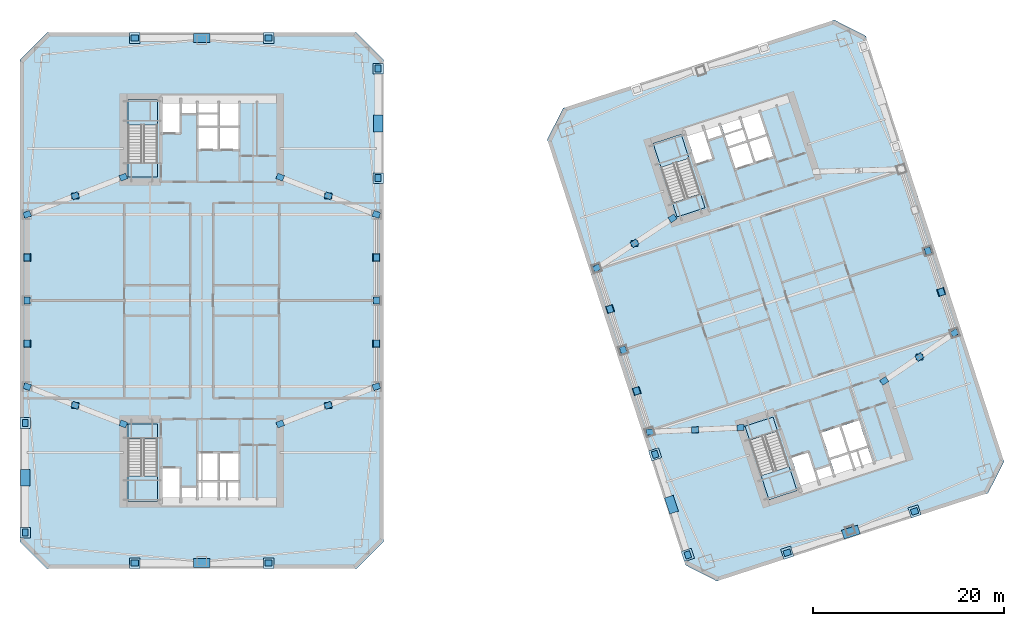
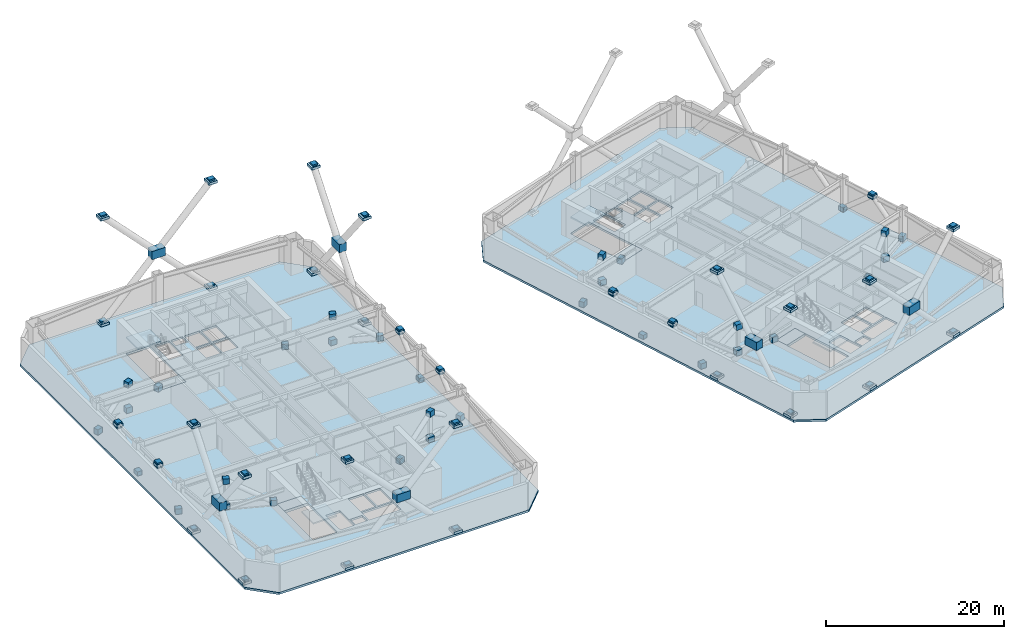
# One storey, part 10 of 19: 100 plates, 10 slabs, 4 elements without a shape of their own.
"""IFC4 building model written with IfcOpenShell, lengths in metres."""

from ifc_helpers import new_model, si_unit, direction, frame, origin, origin_2d, place, context, subcontext, project, spatial, polyline, rectangle, outline, extrude, material, layer, layer_set, type_object, element, aggregate, save


model = new_model("IFC4")

# Units and contexts
model_context = context("Model", 3, precision=1e-05, world=origin(), true_north=direction((0.0, 1.0)))
body_context = subcontext(model_context, "Body", "Model", "MODEL_VIEW")
ifc_project = project(units=[si_unit("LENGTHUNIT", "METRE"), si_unit("AREAUNIT", "SQUARE_METRE"), si_unit("VOLUMEUNIT", "CUBIC_METRE"), si_unit("PLANEANGLEUNIT", "RADIAN"), si_unit("MASSUNIT", "GRAM", prefix="KILO")], contexts=[model_context])

# Site, building, storey
site_placement = place(None, origin())
site = spatial("IfcSite", under=ifc_project, at=site_placement, CompositionType="ELEMENT")
building_placement = place(site_placement, origin())
building = spatial("IfcBuilding", under=site, at=building_placement, Name="Qiaolan Cultural Towers", CompositionType="ELEMENT")
storey_placement = place(building_placement, frame((0.0, 0.0, 92.0)))
storey = spatial("IfcBuildingStorey", under=building, at=storey_placement, Name="L23", CompositionType="ELEMENT", Elevation=92.0)

# Plates
ifc_material_1 = material(Name="Steel Q355B", Category="steel")
ifc_layer_1 = layer(ifc_material_1, 0.035888671875)
ifc_layer_set_1 = layer_set([ifc_layer_1], Name="Steel Q355B")
plate_type_1 = type_object("IfcPlateType", Name="PL-CONN-36", PredefinedType="USERDEFINED", material=ifc_layer_set_1)
for number, where, z_axis, x_axis, name in (
    (1, (11.550048828125, 9.75, -0.22021484375), (0.0, 0.0, 1.0), (0.0, 1.0, 0.0), "L23 Brace End Connection Gusset Plate GP-02-0244"),
    (2, (11.550048828125, 21.199951171875, 14.27978515625), (0.0, 0.0, 1.0), (0.0, 1.0, 0.0), "L23 Brace End Connection Gusset Plate GP-02-0245"),
    (3, (11.550048828125, 21.199951171875, -0.22021484375), (0.0, 0.0, 1.0), (0.0, 1.0, 0.0), "L23 Brace End Connection Gusset Plate GP-02-0246"),
    (4, (11.550048828125, 9.75, 14.27978515625), (0.0, 0.0, 1.0), (0.0, 1.0, 0.0), "L23 Brace End Connection Gusset Plate GP-02-0247"),
    (5, (48.449951171875, 46.800048828125, -0.22021484375), (0.0, 0.0, 1.0), (0.0, 1.0, 0.0), "L23 Brace End Connection Gusset Plate GP-02-0248"),
    (6, (48.449951171875, 58.25, 14.27978515625), (0.0, 0.0, 1.0), (0.0, 1.0, 0.0), "L23 Brace End Connection Gusset Plate GP-02-0249"),
    (7, (48.449951171875, 58.25, -0.22021484375), (0.0, 0.0, 1.0), (0.0, 1.0, 0.0), "L23 Brace End Connection Gusset Plate GP-02-0250"),
    (8, (48.449951171875, 46.800048828125, 14.27978515625), (0.0, 0.0, 1.0), (0.0, 1.0, 0.0), "L23 Brace End Connection Gusset Plate GP-02-0251"),
    (9, (23.0, 6.550048828125, -0.22021484375), (0.0, 0.0, 1.0), (1.0, 0.0, 0.0), "L23 Brace End Connection Gusset Plate GP-02-0252"),
    (10, (37.0, 6.550048828125, 14.27978515625), (0.0, 0.0, 1.0), (1.0, 0.0, 0.0), "L23 Brace End Connection Gusset Plate GP-02-0253"),
    (11, (37.0, 6.550048828125, -0.22021484375), (0.0, 0.0, 1.0), (1.0, 0.0, 0.0), "L23 Brace End Connection Gusset Plate GP-02-0254"),
    (12, (23.0, 6.550048828125, 14.27978515625), (0.0, 0.0, 1.0), (1.0, 0.0, 0.0), "L23 Brace End Connection Gusset Plate GP-02-0255"),
    (13, (23.0, 61.449951171875, -0.22021484375), (0.0, 0.0, 1.0), (1.0, 0.0, 0.0), "L23 Brace End Connection Gusset Plate GP-02-0256"),
    (14, (37.0, 61.449951171875, 14.27978515625), (0.0, 0.0, 1.0), (1.0, 0.0, 0.0), "L23 Brace End Connection Gusset Plate GP-02-0257"),
    (15, (37.0, 61.449951171875, -0.22021484375), (0.0, 0.0, 1.0), (1.0, 0.0, 0.0), "L23 Brace End Connection Gusset Plate GP-02-0258"),
    (16, (23.0, 61.449951171875, 14.27978515625), (0.0, 0.0, 1.0), (1.0, 0.0, 0.0), "L23 Brace End Connection Gusset Plate GP-02-0259"),
    (17, (80.817138671875, 7.410888671875, -0.22021484375), (0.0, 0.0, 1.0), (-0.309016994375, 0.951056516295, 0.0), "L23 Brace End Connection Gusset Plate GP-02-0468"),
    (18, (77.40234375, 17.920166015625, 14.27978515625), (0.0, 0.0, 1.0), (-0.309016994375, 0.951056516295, 0.0), "L23 Brace End Connection Gusset Plate GP-02-0469"),
    (19, (77.40234375, 17.920166015625, -0.22021484375), (0.0, 0.0, 1.0), (-0.309016994375, 0.951056516295, 0.0), "L23 Brace End Connection Gusset Plate GP-02-0470"),
    (20, (80.817138671875, 7.410888671875, 14.27978515625), (0.0, 0.0, 1.0), (-0.309016994375, 0.951056516295, 0.0), "L23 Brace End Connection Gusset Plate GP-02-0471"),
    (21, (91.20703125, 7.632568359375, -0.22021484375), (0.0, 0.0, 1.0), (0.951056510902, 0.309017010974, 0.0), "L23 Brace End Connection Gusset Plate GP-02-0476"),
    (22, (104.52197265625, 11.958740234375, 14.27978515625), (0.0, 0.0, 1.0), (0.951056510902, 0.309017010974, 0.0), "L23 Brace End Connection Gusset Plate GP-02-0477"),
    (23, (104.52197265625, 11.958740234375, -0.22021484375), (0.0, 0.0, 1.0), (0.951056510902, 0.309017010974, 0.0), "L23 Brace End Connection Gusset Plate GP-02-0478"),
    (24, (91.20703125, 7.632568359375, 14.27978515625), (0.0, 0.0, 1.0), (0.951056510902, 0.309017010974, 0.0), "L23 Brace End Connection Gusset Plate GP-02-0479"),
    (25, (21.800048828125, 21.10009765625, 0.1298828125), (0.0, 0.0, 1.0), (-0.932265558866, 0.361774691973, 0.0), "L23 Brace End Connection Gusset Plate GP-02-0648"),
    (26, (16.77490234375, 23.050048828125, 3.64990234375), (0.0, 0.0, 1.0), (-0.932265558866, 0.361774691973, 0.0), "L23 Brace End Connection Gusset Plate GP-02-0649"),
    (27, (11.75, 25.0, 0.1298828125), (0.0, 0.0, 1.0), (-0.932265558866, 0.361774691973, 0.0), "L23 Brace End Connection Gusset Plate GP-02-0650"),
    (28, (16.77490234375, 23.050048828125, 0.1298828125), (0.0, 0.0, 1.0), (1.0, 0.0, 0.0), "L23 Brace End Connection Gusset Plate GP-02-0651"),
    (29, (21.800048828125, 46.89990234375, 0.1298828125), (0.0, 0.0, 1.0), (0.932265558866, 0.361774691973, 0.0), "L23 Brace End Connection Gusset Plate GP-02-0652"),
    (30, (16.77490234375, 44.949951171875, 3.64990234375), (0.0, 0.0, 1.0), (0.932265558866, 0.361774691973, 0.0), "L23 Brace End Connection Gusset Plate GP-02-0653"),
    (31, (11.75, 43.0, 0.1298828125), (0.0, 0.0, 1.0), (0.932265558866, 0.361774691973, 0.0), "L23 Brace End Connection Gusset Plate GP-02-0654"),
    (32, (16.77490234375, 44.949951171875, 0.1298828125), (0.0, 0.0, 1.0), (1.0, 0.0, 0.0), "L23 Brace End Connection Gusset Plate GP-02-0655"),
    (33, (38.199951171875, 21.10009765625, 0.1298828125), (0.0, 0.0, 1.0), (0.932265558866, 0.361774691973, 0.0), "L23 Brace End Connection Gusset Plate GP-02-0656"),
    (34, (43.22509765625, 23.050048828125, 3.64990234375), (0.0, 0.0, 1.0), (0.932265558866, 0.361774691973, 0.0), "L23 Brace End Connection Gusset Plate GP-02-0657"),
    (35, (48.25, 25.0, 0.1298828125), (0.0, 0.0, 1.0), (0.932265558866, 0.361774691973, 0.0), "L23 Brace End Connection Gusset Plate GP-02-0658"),
    (36, (43.22509765625, 23.050048828125, 0.1298828125), (0.0, 0.0, 1.0), (1.0, 0.0, 0.0), "L23 Brace End Connection Gusset Plate GP-02-0659"),
    (37, (38.199951171875, 46.89990234375, 0.1298828125), (0.0, 0.0, 1.0), (-0.932265558866, 0.361774691973, 0.0), "L23 Brace End Connection Gusset Plate GP-02-0660"),
    (38, (43.22509765625, 44.949951171875, 3.64990234375), (0.0, 0.0, 1.0), (-0.932265558866, 0.361774691973, 0.0), "L23 Brace End Connection Gusset Plate GP-02-0661"),
    (39, (48.25, 43.0, 0.1298828125), (0.0, 0.0, 1.0), (-0.932265558866, 0.361774691973, 0.0), "L23 Brace End Connection Gusset Plate GP-02-0662"),
    (40, (43.22509765625, 44.949951171875, 0.1298828125), (0.0, 0.0, 1.0), (1.0, 0.0, 0.0), "L23 Brace End Connection Gusset Plate GP-02-0663"),
    (41, (11.75, 29.5, 3.75), (0.0, 0.0, 1.0), (0.0, 1.0, 0.0), "L23 Brace End Connection Gusset Plate GP-02-0664"),
    (42, (11.75, 34.0, -0.169921875), (0.0, 0.0, 1.0), (0.0, 1.0, 0.0), "L23 Brace End Connection Gusset Plate GP-02-0665"),
    (43, (11.75, 38.5, 3.75), (0.0, 0.0, 1.0), (0.0, 1.0, 0.0), "L23 Brace End Connection Gusset Plate GP-02-0666"),
    (44, (48.25, 29.5, 3.75), (0.0, 0.0, 1.0), (0.0, 1.0, 0.0), "L23 Brace End Connection Gusset Plate GP-02-0667"),
    (45, (48.25, 34.0, -0.169921875), (0.0, 0.0, 1.0), (0.0, 1.0, 0.0), "L23 Brace End Connection Gusset Plate GP-02-0668"),
    (46, (48.25, 38.5, 3.75), (0.0, 0.0, 1.0), (0.0, 1.0, 0.0), "L23 Brace End Connection Gusset Plate GP-02-0669"),
    (47, (86.32568359375, 20.71435546875, 0.1298828125), (0.0, 0.0, 1.0), (0.998874703111, 0.047427075448, 0.0), "L23 Brace End Connection Gusset Plate GP-02-0670"),
    (48, (81.58837890625, 20.489501953125, 3.64990234375), (0.0, 0.0, 1.0), (0.998874703111, 0.047427075448, 0.0), "L23 Brace End Connection Gusset Plate GP-02-0671"),
    (49, (76.85107421875, 20.264404296875, 0.1298828125), (0.0, 0.0, 1.0), (0.998874703111, 0.047427075448, 0.0), "L23 Brace End Connection Gusset Plate GP-02-0672"),
    (50, (81.58837890625, 20.489501953125, 0.1298828125), (0.0, 0.0, 1.0), (1.0, 0.0, 0.0), "L23 Brace End Connection Gusset Plate GP-02-0673"),
    (51, (79.21826171875, 42.588623046875, 0.1298828125), (0.0, 0.0, 1.0), (0.835983555153, 0.548754494755, 0.0), "L23 Brace End Connection Gusset Plate GP-02-0674"),
    (52, (75.25341796875, 39.986083984375, 3.64990234375), (0.0, 0.0, 1.0), (0.835983555153, 0.548754494755, 0.0), "L23 Brace End Connection Gusset Plate GP-02-0675"),
    (53, (71.28857421875, 37.383544921875, 0.1298828125), (0.0, 0.0, 1.0), (0.835983555153, 0.548754494755, 0.0), "L23 Brace End Connection Gusset Plate GP-02-0676"),
    (54, (75.25341796875, 39.986083984375, 0.1298828125), (0.0, 0.0, 1.0), (1.0, 0.0, 0.0), "L23 Brace End Connection Gusset Plate GP-02-0677"),
    (55, (101.352294921875, 25.5966796875, 0.1298828125), (0.0, 0.0, 1.0), (0.826110116447, 0.563508718215, 0.0), "L23 Brace End Connection Gusset Plate GP-02-0678"),
    (56, (105.03173828125, 28.106689453125, 3.64990234375), (0.0, 0.0, 1.0), (0.826110116447, 0.563508718215, 0.0), "L23 Brace End Connection Gusset Plate GP-02-0679"),
    (57, (108.71142578125, 30.616455078125, 0.1298828125), (0.0, 0.0, 1.0), (0.826110116447, 0.563508718215, 0.0), "L23 Brace End Connection Gusset Plate GP-02-0680"),
    (58, (105.03173828125, 28.106689453125, 0.1298828125), (0.0, 0.0, 1.0), (1.0, 0.0, 0.0), "L23 Brace End Connection Gusset Plate GP-02-0681"),
    (59, (75.46044921875, 24.544189453125, 3.75), (0.0, 0.0, 1.0), (-0.309017027573, 0.951056505508, 0.0), "L23 Brace End Connection Gusset Plate GP-02-0686"),
    (60, (74.06982421875, 28.823974609375, -0.169921875), (0.0, 0.0, 1.0), (-0.309017027573, 0.951056505508, 0.0), "L23 Brace End Connection Gusset Plate GP-02-0687"),
    (61, (72.67919921875, 33.103759765625, 3.75), (0.0, 0.0, 1.0), (-0.309016994375, 0.951056516295, 0.0), "L23 Brace End Connection Gusset Plate GP-02-0688"),
    (62, (107.32080078125, 34.896240234375, 3.75), (0.0, 0.0, 1.0), (-0.309016994375, 0.951056516295, 0.0), "L23 Brace End Connection Gusset Plate GP-02-0689"),
    (63, (105.93017578125, 39.176025390625, -0.169921875), (0.0, 0.0, 1.0), (-0.309016994375, 0.951056516295, 0.0), "L23 Brace End Connection Gusset Plate GP-02-0690"),
):
    element("IfcPlate", number, at=place(storey_placement, frame(where, z_axis=z_axis, x_axis=x_axis)), inside=storey, type_object=plate_type_1, Name=name, ObjectType="GUSSET_PLATE", PredefinedType="USERDEFINED", context=body_context, shape_type="SweptSolid", body=[
        extrude(rectangle(XDim=0.739990234375, YDim=0.6201171875, at=origin_2d()), origin(), (0.0, 0.0, 1.0), 0.739990234375),
    ])
ifc_material_2 = material(Name="Steel Q355B", Category="steel")
ifc_layer_2 = layer(ifc_material_2, 0.030029296875)
ifc_layer_set_2 = layer_set([ifc_layer_2], Name="Steel Q355B")
plate_type_2 = type_object("IfcPlateType", Name="PL-ENDCAP-30", PredefinedType="USERDEFINED", material=ifc_layer_set_2)
for number, where, z_axis, x_axis, name in (
    (64, (11.550048828125, 9.75, -0.025146484375), (0.0, 0.0, 1.0), (0.0, 1.0, 0.0), "Hollow Brace End Seal Cap Plate CP-01"),
    (65, (11.550048828125, 21.199951171875, -0.025146484375), (0.0, 0.0, 1.0), (0.0, 1.0, 0.0), "Hollow Brace End Seal Cap Plate CP-01"),
    (66, (11.550048828125, 9.75, 14.474853515625), (0.0, 0.0, 1.0), (0.0, 1.0, 0.0), "Hollow Brace End Seal Cap Plate CP-01"),
    (67, (11.550048828125, 21.199951171875, 14.474853515625), (0.0, 0.0, 1.0), (0.0, 1.0, 0.0), "Hollow Brace End Seal Cap Plate CP-01"),
    (68, (48.449951171875, 46.800048828125, -0.025146484375), (0.0, 0.0, 1.0), (0.0, 1.0, 0.0), "Hollow Brace End Seal Cap Plate CP-01"),
    (69, (48.449951171875, 58.25, -0.025146484375), (0.0, 0.0, 1.0), (0.0, 1.0, 0.0), "Hollow Brace End Seal Cap Plate CP-01"),
    (70, (48.449951171875, 46.800048828125, 14.474853515625), (0.0, 0.0, 1.0), (0.0, 1.0, 0.0), "Hollow Brace End Seal Cap Plate CP-01"),
    (71, (48.449951171875, 58.25, 14.474853515625), (0.0, 0.0, 1.0), (0.0, 1.0, 0.0), "Hollow Brace End Seal Cap Plate CP-01"),
    (72, (23.0, 6.550048828125, -0.025146484375), (0.0, 0.0, 1.0), (1.0, 0.0, 0.0), "Hollow Brace End Seal Cap Plate CP-01"),
    (73, (37.0, 6.550048828125, -0.025146484375), (0.0, 0.0, 1.0), (1.0, 0.0, 0.0), "Hollow Brace End Seal Cap Plate CP-01"),
    (74, (23.0, 6.550048828125, 14.474853515625), (0.0, 0.0, 1.0), (1.0, 0.0, 0.0), "Hollow Brace End Seal Cap Plate CP-01"),
    (75, (37.0, 6.550048828125, 14.474853515625), (0.0, 0.0, 1.0), (1.0, 0.0, 0.0), "Hollow Brace End Seal Cap Plate CP-01"),
    (76, (23.0, 61.449951171875, -0.025146484375), (0.0, 0.0, 1.0), (1.0, 0.0, 0.0), "Hollow Brace End Seal Cap Plate CP-01"),
    (77, (37.0, 61.449951171875, -0.025146484375), (0.0, 0.0, 1.0), (1.0, 0.0, 0.0), "Hollow Brace End Seal Cap Plate CP-01"),
    (78, (23.0, 61.449951171875, 14.474853515625), (0.0, 0.0, 1.0), (1.0, 0.0, 0.0), "Hollow Brace End Seal Cap Plate CP-01"),
    (79, (37.0, 61.449951171875, 14.474853515625), (0.0, 0.0, 1.0), (1.0, 0.0, 0.0), "Hollow Brace End Seal Cap Plate CP-01"),
    (80, (80.817138671875, 7.410888671875, -0.025146484375), (0.0, 0.0, 1.0), (-0.309016994375, 0.951056516295, 0.0), "Hollow Brace End Seal Cap Plate CP-01"),
    (81, (77.40234375, 17.920166015625, -0.025146484375), (0.0, 0.0, 1.0), (-0.309016994375, 0.951056516295, 0.0), "Hollow Brace End Seal Cap Plate CP-01"),
    (82, (80.817138671875, 7.410888671875, 14.474853515625), (0.0, 0.0, 1.0), (-0.309016994375, 0.951056516295, 0.0), "Hollow Brace End Seal Cap Plate CP-01"),
    (83, (77.40234375, 17.920166015625, 14.474853515625), (0.0, 0.0, 1.0), (-0.309016994375, 0.951056516295, 0.0), "Hollow Brace End Seal Cap Plate CP-01"),
    (84, (91.20703125, 7.632568359375, -0.025146484375), (0.0, 0.0, 1.0), (0.951056516295, 0.309016994375, 0.0), "Hollow Brace End Seal Cap Plate CP-01"),
    (85, (104.52197265625, 11.958740234375, -0.025146484375), (0.0, 0.0, 1.0), (0.951056516295, 0.309016994375, 0.0), "Hollow Brace End Seal Cap Plate CP-01"),
    (86, (91.20703125, 7.632568359375, 14.474853515625), (0.0, 0.0, 1.0), (0.951056516295, 0.309016994375, 0.0), "Hollow Brace End Seal Cap Plate CP-01"),
    (87, (104.52197265625, 11.958740234375, 14.474853515625), (0.0, 0.0, 1.0), (0.951056516295, 0.309016994375, 0.0), "Hollow Brace End Seal Cap Plate CP-01"),
):
    element("IfcPlate", number, at=place(storey_placement, frame(where, z_axis=z_axis, x_axis=x_axis)), inside=storey, type_object=plate_type_2, Name=name, ObjectType="BASE_PLATE", PredefinedType="USERDEFINED", context=body_context, shape_type="SweptSolid", body=[
        extrude(rectangle(XDim=1.10009765625, YDim=1.10009765625, at=origin_2d()), origin(), (0.0, 0.0, 1.0), 0.35009765625),
    ])
for number, where, z_axis, x_axis, name in (
    (88, (11.75, 29.5, 3.945068359375), (0.0, 0.0, 1.0), (1.0, 0.0, 0.0), "Belt Truss Apex Seal Plate CP-01"),
    (89, (11.75, 38.5, 3.945068359375), (0.0, 0.0, 1.0), (1.0, 0.0, 0.0), "Belt Truss Apex Seal Plate CP-01"),
    (90, (48.25, 29.5, 3.945068359375), (0.0, 0.0, 1.0), (1.0, 0.0, 0.0), "Belt Truss Apex Seal Plate CP-01"),
    (91, (48.25, 38.5, 3.945068359375), (0.0, 0.0, 1.0), (1.0, 0.0, 0.0), "Belt Truss Apex Seal Plate CP-01"),
    (92, (75.46044921875, 24.544189453125, 3.945068359375), (0.0, 0.0, 1.0), (0.951056516295, 0.309016994375, 0.0), "Belt Truss Apex Seal Plate CP-01"),
    (93, (72.67919921875, 33.103759765625, 3.945068359375), (0.0, 0.0, 1.0), (0.951056516295, 0.309016994375, 0.0), "Belt Truss Apex Seal Plate CP-01"),
    (94, (107.32080078125, 34.896240234375, 3.945068359375), (0.0, 0.0, 1.0), (0.951056516295, 0.309016994375, 0.0), "Belt Truss Apex Seal Plate CP-01"),
):
    element("IfcPlate", number, at=place(storey_placement, frame(where, z_axis=z_axis, x_axis=x_axis)), inside=storey, type_object=plate_type_2, Name=name, ObjectType="BASE_PLATE", PredefinedType="USERDEFINED", context=body_context, shape_type="SweptSolid", body=[
        extrude(rectangle(XDim=0.800048828125, YDim=0.800048828125, at=origin_2d()), origin(), (0.0, 0.0, 1.0), 0.35009765625),
    ])
ifc_material_3 = material(Name="Steel Q390GJB", Category="steel")
ifc_layer_3 = layer(ifc_material_3, 0.0439453125)
ifc_layer_set_3 = layer_set([ifc_layer_3], Name="Steel Q390GJB")
plate_type_3 = type_object("IfcPlateType", Name="PL-NODE-ND02", PredefinedType="USERDEFINED", material=ifc_layer_set_3)
plate_1_placement = place(storey_placement, frame((79.109619140625, 12.66552734375, 6.849853515625), z_axis=(0.0, 0.0, 1.0), x_axis=(-0.309016994375, 0.951056516295, 0.0)))
element("IfcPlate", 95, at=plate_1_placement, inside=storey, type_object=plate_type_3, Name="Perimeter Frame Gusset Node Assembly ND-02", ObjectType="GUSSET_PLATE", PredefinedType="USERDEFINED", context=body_context, shape_type="SweptSolid", body=[
    extrude(rectangle(XDim=1.760009765625, YDim=0.9599609375, at=origin_2d()), origin(), (0.0, 0.0, 1.0), 1.10009765625),
])
ifc_material_4 = material(Name="Steel Q390GJB", Category="steel")
ifc_layer_4 = layer(ifc_material_4, 0.0400390625)
ifc_layer_set_4 = layer_set([ifc_layer_4], Name="Steel Q390GJB")
plate_type_4 = type_object("IfcPlateType", Name="PL-NODE-ND04", PredefinedType="USERDEFINED", material=ifc_layer_set_4)
plate_2_placement = place(storey_placement, frame((97.864501953125, 9.795654296875, 6.849853515625), z_axis=(0.0, 0.0, 1.0), x_axis=(0.951056516295, 0.309016994375, 0.0)))
element("IfcPlate", 96, at=plate_2_placement, inside=storey, type_object=plate_type_4, Name="Perimeter Frame Gusset Node Assembly ND-04", ObjectType="GUSSET_PLATE", PredefinedType="USERDEFINED", context=body_context, shape_type="SweptSolid", body=[
    extrude(rectangle(XDim=1.760009765625, YDim=0.9599609375, at=origin_2d()), origin(), (0.0, 0.0, 1.0), 1.10009765625),
])
ifc_material_5 = material(Name="Steel Q390GJB", Category="steel")
ifc_layer_5 = layer(ifc_material_5, 0.0439453125)
ifc_layer_set_5 = layer_set([ifc_layer_5], Name="Steel Q390GJB")
plate_type_5 = type_object("IfcPlateType", Name="PL-NODE-ND06", PredefinedType="USERDEFINED", material=ifc_layer_set_5)
plate_3_placement = place(storey_placement, frame((11.550048828125, 15.47509765625, 6.849853515625), z_axis=(0.0, 0.0, 1.0), x_axis=(0.0, 1.0, 0.0)))
element("IfcPlate", 97, at=plate_3_placement, inside=storey, type_object=plate_type_5, Name="Perimeter Frame Gusset Node Assembly ND-06", ObjectType="GUSSET_PLATE", PredefinedType="USERDEFINED", context=body_context, shape_type="SweptSolid", body=[
    extrude(rectangle(XDim=1.760009765625, YDim=0.9599609375, at=origin_2d()), origin(), (0.0, 0.0, 1.0), 1.10009765625),
])
ifc_material_6 = material(Name="Steel Q390GJB", Category="steel")
ifc_layer_6 = layer(ifc_material_6, 0.0458984375)
ifc_layer_set_6 = layer_set([ifc_layer_6], Name="Steel Q390GJB")
plate_type_6 = type_object("IfcPlateType", Name="PL-NODE-ND07", PredefinedType="USERDEFINED", material=ifc_layer_set_6)
plate_4_placement = place(storey_placement, frame((48.449951171875, 52.52490234375, 6.849853515625), z_axis=(0.0, 0.0, 1.0), x_axis=(0.0, 1.0, 0.0)))
element("IfcPlate", 98, at=plate_4_placement, inside=storey, type_object=plate_type_6, Name="Perimeter Frame Gusset Node Assembly ND-07", ObjectType="GUSSET_PLATE", PredefinedType="USERDEFINED", context=body_context, shape_type="SweptSolid", body=[
    extrude(rectangle(XDim=1.760009765625, YDim=0.9599609375, at=origin_2d()), origin(), (0.0, 0.0, 1.0), 1.10009765625),
])
ifc_material_7 = material(Name="Steel Q390GJB", Category="steel")
ifc_layer_7 = layer(ifc_material_7, 0.0400390625)
ifc_layer_set_7 = layer_set([ifc_layer_7], Name="Steel Q390GJB")
plate_type_7 = type_object("IfcPlateType", Name="PL-NODE-ND08", PredefinedType="USERDEFINED", material=ifc_layer_set_7)
plate_5_placement = place(storey_placement, frame((30.0, 6.550048828125, 6.849853515625), z_axis=(0.0, 0.0, 1.0), x_axis=(1.0, 0.0, 0.0)))
element("IfcPlate", 99, at=plate_5_placement, inside=storey, type_object=plate_type_7, Name="Perimeter Frame Gusset Node Assembly ND-08", ObjectType="GUSSET_PLATE", PredefinedType="USERDEFINED", context=body_context, shape_type="SweptSolid", body=[
    extrude(rectangle(XDim=1.760009765625, YDim=0.9599609375, at=origin_2d()), origin(), (0.0, 0.0, 1.0), 1.10009765625),
])
ifc_material_8 = material(Name="Steel Q390GJB", Category="steel")
ifc_layer_8 = layer(ifc_material_8, 0.0419921875)
ifc_layer_set_8 = layer_set([ifc_layer_8], Name="Steel Q390GJB")
plate_type_8 = type_object("IfcPlateType", Name="PL-NODE-ND09", PredefinedType="USERDEFINED", material=ifc_layer_set_8)
plate_6_placement = place(storey_placement, frame((30.0, 61.449951171875, 6.849853515625), z_axis=(0.0, 0.0, 1.0), x_axis=(1.0, 0.0, 0.0)))
element("IfcPlate", 100, at=plate_6_placement, inside=storey, type_object=plate_type_8, Name="Perimeter Frame Gusset Node Assembly ND-09", ObjectType="GUSSET_PLATE", PredefinedType="USERDEFINED", context=body_context, shape_type="SweptSolid", body=[
    extrude(rectangle(XDim=1.760009765625, YDim=0.9599609375, at=origin_2d()), origin(), (0.0, 0.0, 1.0), 1.10009765625),
])

# Slabs
ifc_material_9 = material(Name="Concrete C50", Category="concrete")
ifc_layer_9 = layer(ifc_material_9, 0.280029296875)
ifc_layer_set_9 = layer_set([ifc_layer_9], Name="Concrete C50")
slab_type_1 = type_object("IfcSlabType", Name="SL-REF-280", PredefinedType="FLOOR", material=ifc_layer_set_9)
slab_1_placement = place(storey_placement, frame((0.0, 0.0, -0.280029296875)))
element("IfcSlab", 101, at=slab_1_placement, inside=storey, type_object=slab_type_1, Name="L23 West Tower Floor Slab", PredefinedType="FLOOR", context=body_context, shape_type="SweptSolid", body=[
    extrude(outline(polyline([(13.800048828125, 6.0), (46.199951171875, 6.0), (49.0, 8.800048828125), (49.0, 59.199951171875), (46.199951171875, 62.0), (13.800048828125, 62.0), (11.0, 59.199951171875), (11.0, 8.800048828125), (13.800048828125, 6.0)]), holes=[polyline([(22.300048828125, 21.10009765625), (22.300048828125, 13.0), (25.3798828125, 13.0), (25.3798828125, 21.10009765625), (22.300048828125, 21.10009765625)]), polyline([(25.3798828125, 46.89990234375), (25.3798828125, 55.0), (22.300048828125, 55.0), (22.300048828125, 46.89990234375), (25.3798828125, 46.89990234375)]), polyline([(25.89990234375, 13.199951171875), (27.75, 13.199951171875), (27.75, 16.449951171875), (25.89990234375, 16.449951171875), (25.89990234375, 13.199951171875)]), polyline([(27.93994140625, 13.25), (29.449951171875, 13.25), (29.449951171875, 14.419921875), (27.93994140625, 14.419921875), (27.93994140625, 13.25)]), polyline([(29.679931640625, 15.199951171875), (31.679931640625, 15.199951171875), (31.679931640625, 18.0), (29.679931640625, 18.0), (29.679931640625, 15.199951171875)]), polyline([(31.8798828125, 15.199951171875), (33.820068359375, 15.199951171875), (33.820068359375, 18.0), (31.8798828125, 18.0), (31.8798828125, 15.199951171875)]), polyline([(29.679931640625, 13.25), (33.820068359375, 13.25), (33.820068359375, 14.97998046875), (29.679931640625, 14.97998046875), (29.679931640625, 13.25)]), polyline([(25.89990234375, 51.550048828125), (27.75, 51.550048828125), (27.75, 54.800048828125), (25.89990234375, 54.800048828125), (25.89990234375, 51.550048828125)]), polyline([(27.93994140625, 53.580078125), (29.449951171875, 53.580078125), (29.449951171875, 54.75), (27.93994140625, 54.75), (27.93994140625, 53.580078125)]), polyline([(29.679931640625, 49.820068359375), (31.679931640625, 49.820068359375), (31.679931640625, 52.080078125), (29.679931640625, 52.080078125), (29.679931640625, 49.820068359375)]), polyline([(31.8798828125, 49.820068359375), (33.820068359375, 49.820068359375), (33.820068359375, 52.080078125), (31.8798828125, 52.080078125), (31.8798828125, 49.820068359375)]), polyline([(29.679931640625, 52.27001953125), (31.659912109375, 52.27001953125), (31.659912109375, 54.75), (29.679931640625, 54.75), (29.679931640625, 52.27001953125)]), polyline([(31.8798828125, 52.27001953125), (33.820068359375, 52.27001953125), (33.820068359375, 54.75), (31.8798828125, 54.75), (31.8798828125, 52.27001953125)])]), origin(), (0.0, 0.0, 1.0), 0.280029296875),
])
slab_2_placement = place(storey_placement, frame((0.0, 0.0, -0.280029296875)))
element("IfcSlab", 102, at=slab_2_placement, inside=storey, type_object=slab_type_1, Name="L23 East Tower Floor Slab", PredefinedType="FLOOR", context=body_context, shape_type="SweptSolid", body=[
    extrude(outline(polyline([(83.86376953125, 4.668212890625), (112.205078125, 13.876953125), (113.87451171875, 17.153076171875), (99.41259765625, 61.66259765625), (96.13623046875, 63.331787109375), (67.794921875, 54.123046875), (66.12548828125, 50.846923828125), (80.58740234375, 6.33740234375), (83.86376953125, 4.668212890625)]), holes=[polyline([(86.80126953125, 20.868896484375), (89.30419921875, 13.165283203125), (92.2333984375, 14.116943359375), (89.73046875, 21.820556640625), (86.80126953125, 20.868896484375)]), polyline([(82.623046875, 43.69482421875), (80.1201171875, 51.3984375), (77.190673828125, 50.44677734375), (79.69384765625, 42.7431640625), (82.623046875, 43.69482421875)]), polyline([(92.666259765625, 14.468017578125), (94.42578125, 15.03955078125), (93.42138671875, 18.130615234375), (91.661865234375, 17.558837890625), (92.666259765625, 14.468017578125)]), polyline([(94.5908203125, 15.14599609375), (96.027099609375, 15.612548828125), (95.66552734375, 16.725341796875), (94.2294921875, 16.258544921875), (94.5908203125, 15.14599609375)]), polyline([(95.643310546875, 17.5380859375), (97.54541015625, 18.15625), (96.68017578125, 20.819091796875), (94.77783203125, 20.201171875), (95.643310546875, 17.5380859375)]), polyline([(97.735595703125, 18.218017578125), (99.58056640625, 18.8173828125), (98.71533203125, 21.48046875), (96.870361328125, 20.880859375), (97.735595703125, 18.218017578125)]), polyline([(96.245849609375, 15.68359375), (100.18310546875, 16.962890625), (99.6484375, 18.608154296875), (95.711181640625, 17.328857421875), (96.245849609375, 15.68359375)]), polyline([(81.6806640625, 48.278076171875), (83.440185546875, 48.849609375), (82.435791015625, 51.940673828125), (80.67626953125, 51.368896484375), (81.6806640625, 48.278076171875)]), polyline([(82.993408203125, 50.839111328125), (84.4296875, 51.3056640625), (84.068115234375, 52.41845703125), (82.632080078125, 51.95166015625), (82.993408203125, 50.839111328125)]), polyline([(85.810302734375, 47.80078125), (87.71240234375, 48.418701171875), (87.013916015625, 50.568115234375), (85.11181640625, 49.9501953125), (85.810302734375, 47.80078125)]), polyline([(87.902587890625, 48.480712890625), (89.74755859375, 49.080078125), (89.04931640625, 51.2294921875), (87.2041015625, 50.6298828125), (87.902587890625, 48.480712890625)]), polyline([(85.05322265625, 50.130859375), (86.936279296875, 50.74267578125), (86.169921875, 53.101318359375), (84.286865234375, 52.489501953125), (85.05322265625, 50.130859375)]), polyline([(87.1455078125, 50.810791015625), (88.990478515625, 51.41015625), (88.22412109375, 53.768798828125), (86.379150390625, 53.169189453125), (87.1455078125, 50.810791015625)])]), origin(), (0.0, 0.0, 1.0), 0.280029296875),
])

# Stair, slab
ifc_material_10 = material(Name="Concrete C45", Category="concrete")
stair_type = type_object("IfcStairType", Name="STR-CORE-1500", PredefinedType="HALF_TURN_STAIR", material=ifc_material_10)
stair_1_placement = place(storey_placement, origin())
stair_1 = element("IfcStair", 103, at=stair_1_placement, inside=storey, type_object=stair_type, Name="L23 Smokeproof Exit Stair ST-W1", PredefinedType="HALF_TURN_STAIR")
ifc_material_11 = material(Name="Concrete C45", Category="concrete")
ifc_layer_10 = layer(ifc_material_11, 0.199951171875)
ifc_layer_set_10 = layer_set([ifc_layer_10], Name="Concrete C45")
slab_type_2 = type_object("IfcSlabType", Name="SL-STAIR-LAND", PredefinedType="LANDING", material=ifc_layer_set_10)
slab_3_placement = place(storey_placement, frame((0.0, 0.0, 2.10009765625)))
slab_3 = element("IfcSlab", 104, at=slab_3_placement, type_object=slab_type_2, Name="ST-W1 landing 1", PredefinedType="LANDING", context=body_context, shape_type="SweptSolid", body=[
    extrude(outline(polyline([(22.300048828125, 15.6513671875), (22.300048828125, 13.0), (25.3798828125, 13.0), (25.3798828125, 15.6513671875), (22.300048828125, 15.6513671875)])), origin(), (0.0, 0.0, 1.0), 0.199951171875),
])
aggregate(stair_1, [slab_3])

stair_2_placement = place(storey_placement, origin())
stair_2 = element("IfcStair", 105, at=stair_2_placement, inside=storey, type_object=stair_type, Name="L23 Smokeproof Exit Stair ST-W2", PredefinedType="HALF_TURN_STAIR")
slab_4_placement = place(storey_placement, frame((0.0, 0.0, 2.10009765625)))
slab_4 = element("IfcSlab", 106, at=slab_4_placement, type_object=slab_type_2, Name="ST-W2 landing 1", PredefinedType="LANDING", context=body_context, shape_type="SweptSolid", body=[
    extrude(outline(polyline([(25.3798828125, 52.3486328125), (25.3798828125, 55.0), (22.300048828125, 55.0), (22.300048828125, 52.3486328125), (25.3798828125, 52.3486328125)])), origin(), (0.0, 0.0, 1.0), 0.199951171875),
])
aggregate(stair_2, [slab_4])

stair_3_placement = place(storey_placement, origin())
stair_3 = element("IfcStair", 107, at=stair_3_placement, inside=storey, type_object=stair_type, Name="L23 Smokeproof Exit Stair ST-E1", PredefinedType="HALF_TURN_STAIR")
slab_5_placement = place(storey_placement, frame((0.0, 0.0, 2.10009765625)))
slab_5 = element("IfcSlab", 108, at=slab_5_placement, type_object=slab_type_2, Name="ST-E1 landing 1", PredefinedType="LANDING", context=body_context, shape_type="SweptSolid", body=[
    extrude(outline(polyline([(88.48486328125, 15.686767578125), (89.30419921875, 13.165283203125), (92.2333984375, 14.116943359375), (91.414306640625, 16.638671875), (88.48486328125, 15.686767578125)])), origin(), (0.0, 0.0, 1.0), 0.199951171875),
])
aggregate(stair_3, [slab_5])

stair_4_placement = place(storey_placement, origin())
stair_4 = element("IfcStair", 109, at=stair_4_placement, inside=storey, type_object=stair_type, Name="L23 Smokeproof Exit Stair ST-E2", PredefinedType="HALF_TURN_STAIR")
slab_6_placement = place(storey_placement, frame((0.0, 0.0, 2.10009765625)))
slab_6 = element("IfcSlab", 110, at=slab_6_placement, type_object=slab_type_2, Name="ST-E2 landing 1", PredefinedType="LANDING", context=body_context, shape_type="SweptSolid", body=[
    extrude(outline(polyline([(80.939208984375, 48.876953125), (80.1201171875, 51.3984375), (77.190673828125, 50.44677734375), (78.010009765625, 47.925048828125), (80.939208984375, 48.876953125)])), origin(), (0.0, 0.0, 1.0), 0.199951171875),
])
aggregate(stair_4, [slab_6])

# Slabs
ifc_material_12 = material(Name="Concrete C40", Category="concrete")
ifc_layer_11 = layer(ifc_material_12, 0.360107421875)
ifc_layer_set_11 = layer_set([ifc_layer_11], Name="Concrete C40")
slab_type_3 = type_object("IfcSlabType", Name="SL-STFLR-360", PredefinedType="LANDING", material=ifc_layer_set_11)
slab_7_placement = place(storey_placement, frame((0.0, 0.0, -0.360107421875)))
element("IfcSlab", 111, at=slab_7_placement, inside=storey, type_object=slab_type_3, Name="L23 ST-W1 Stair Floor Landing Slab", PredefinedType="LANDING", context=body_context, shape_type="SweptSolid", body=[
    extrude(outline(polyline([(22.302001953125, 21.097900390625), (22.302001953125, 19.548583984375), (25.3779296875, 19.548583984375), (25.3779296875, 21.097900390625), (22.302001953125, 21.097900390625)])), origin(), (0.0, 0.0, 1.0), 0.360107421875),
])
slab_8_placement = place(storey_placement, frame((0.0, 0.0, -0.360107421875)))
element("IfcSlab", 112, at=slab_8_placement, inside=storey, type_object=slab_type_3, Name="L23 ST-W2 Stair Floor Landing Slab", PredefinedType="LANDING", context=body_context, shape_type="SweptSolid", body=[
    extrude(outline(polyline([(25.3779296875, 46.902099609375), (25.3779296875, 48.451416015625), (22.302001953125, 48.451416015625), (22.302001953125, 46.902099609375), (25.3779296875, 46.902099609375)])), origin(), (0.0, 0.0, 1.0), 0.360107421875),
])
slab_9_placement = place(storey_placement, frame((0.0, 0.0, -0.360107421875)))
element("IfcSlab", 113, at=slab_9_placement, inside=storey, type_object=slab_type_3, Name="L23 ST-E1 Stair Floor Landing Slab", PredefinedType="LANDING", context=body_context, shape_type="SweptSolid", body=[
    extrude(outline(polyline([(86.8037109375, 20.867431640625), (87.282470703125, 19.39404296875), (90.2080078125, 20.3447265625), (89.729248046875, 21.818115234375), (86.8037109375, 20.867431640625)])), origin(), (0.0, 0.0, 1.0), 0.360107421875),
])
slab_10_placement = place(storey_placement, frame((0.0, 0.0, -0.360107421875)))
element("IfcSlab", 114, at=slab_10_placement, inside=storey, type_object=slab_type_3, Name="L23 ST-E2 Stair Floor Landing Slab", PredefinedType="LANDING", context=body_context, shape_type="SweptSolid", body=[
    extrude(outline(polyline([(82.62060546875, 43.6962890625), (82.141845703125, 45.169677734375), (79.21630859375, 44.21923828125), (79.695068359375, 42.74560546875), (82.62060546875, 43.6962890625)])), origin(), (0.0, 0.0, 1.0), 0.360107421875),
])

save(model, "model.ifc")
